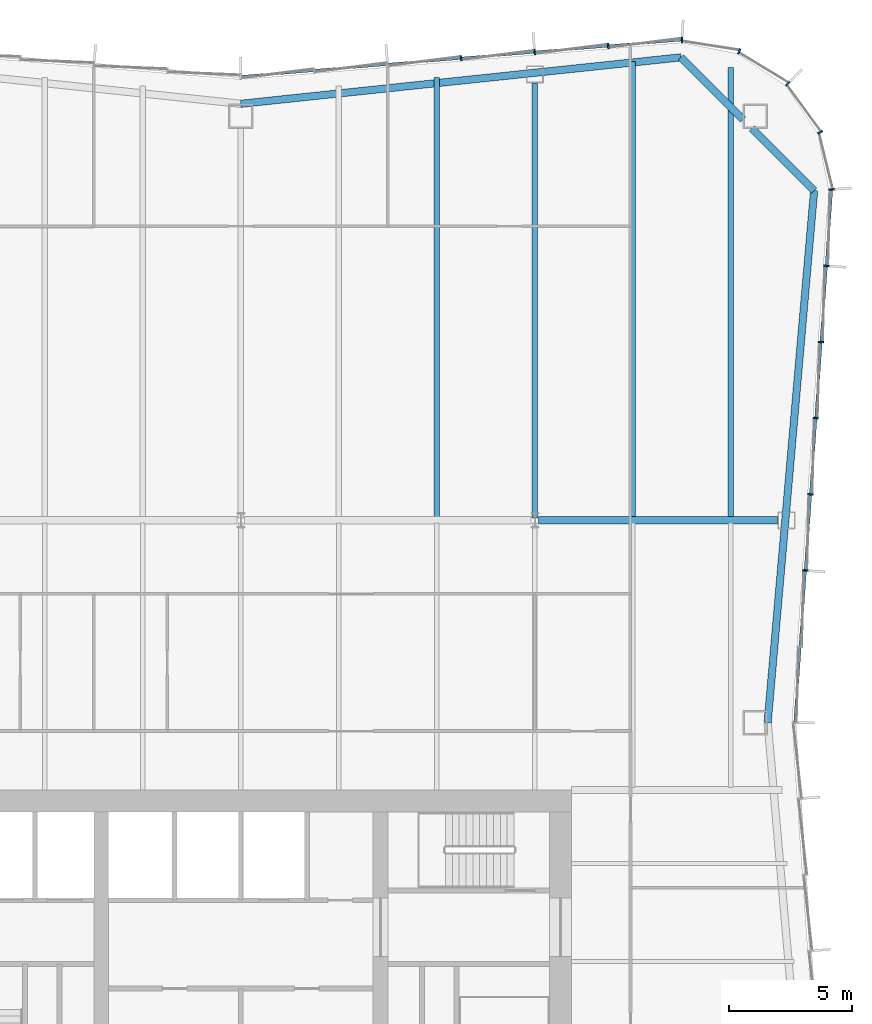
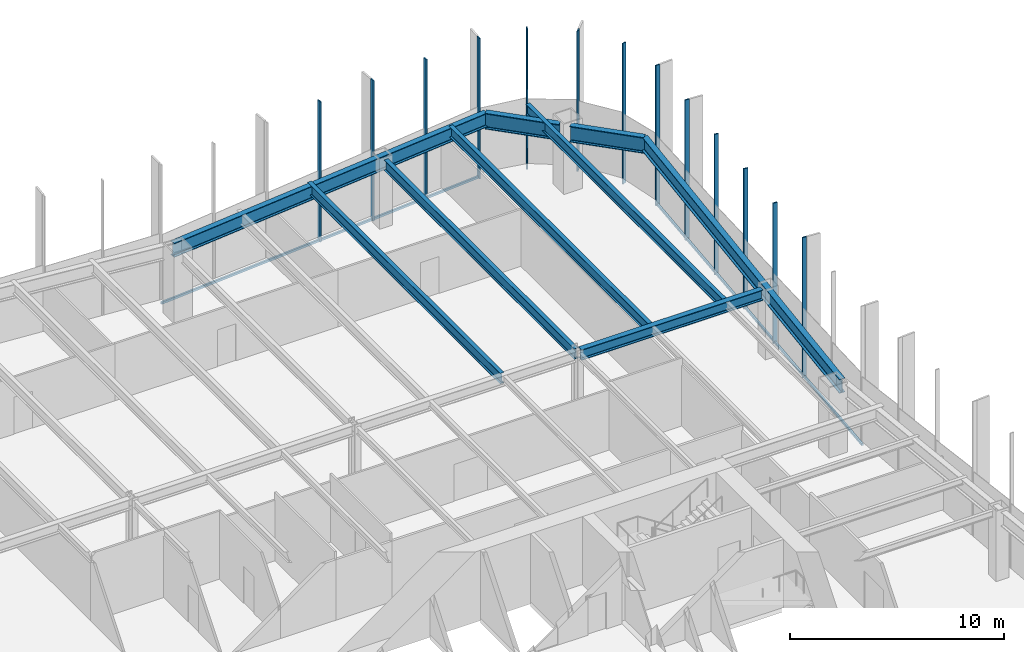
# One storey, part 7 of 13: 15 members, 9 beams, 3 elements without a shape of their own.
"""IFC4 building model written with IfcOpenShell, lengths in metres."""

from ifc_helpers import new_model, si_unit, direction, frame, origin, origin_2d, place, context, subcontext, project, spatial, rectangle, i_section, extrude, material, material_profile, profile_set, type_object, element, aggregate, save


model = new_model("IFC4")

# Units and contexts
model_context = context("Model", 3, precision=1e-05, world=origin(), true_north=direction((0.0, 1.0)))
body_context = subcontext(model_context, "Body", "Model", "MODEL_VIEW")
ifc_project = project(units=[si_unit("LENGTHUNIT", "METRE"), si_unit("AREAUNIT", "SQUARE_METRE"), si_unit("VOLUMEUNIT", "CUBIC_METRE"), si_unit("PLANEANGLEUNIT", "RADIAN"), si_unit("MASSUNIT", "GRAM", prefix="KILO")], contexts=[model_context])

# Site, building, storey
site_placement = place(None, origin())
site = spatial("IfcSite", under=ifc_project, at=site_placement, CompositionType="ELEMENT")
building_placement = place(site_placement, origin())
building = spatial("IfcBuilding", under=site, at=building_placement, Name="Verdant Reach Tower", CompositionType="ELEMENT")
storey_placement = place(building_placement, frame((0.0, 0.0, 218.0)))
storey = spatial("IfcBuildingStorey", under=building, at=storey_placement, Name="L50", CompositionType="ELEMENT", Elevation=218.0)

# Curtain wall, members
ifc_material_1 = material(Name="Anodised aluminium", Category="aluminium")
curtain_wall_type = type_object("IfcCurtainWallType", Name="EN-CW SYSTEM Z3", PredefinedType="NOTDEFINED", material=ifc_material_1)
curtain_wall_1_placement = place(storey_placement, origin())
curtain_wall_1 = element("IfcCurtainWall", 1, at=curtain_wall_1_placement, inside=storey, type_object=curtain_wall_type, Name="Curtain wall east, L50", PredefinedType="NOTDEFINED")
ifc_material_profile_1 = material_profile(ifc_material_1, rectangle(XDim=0.218017578125, YDim=0.06591796875, at=origin_2d()), Name="Mullion 66x218")
ifc_profile_set_1 = profile_set([ifc_material_profile_1], Name="Anodised aluminium")
member_type_1 = type_object("IfcMemberType", Name="EN-MULLION Z3", PredefinedType="MULLION", material=ifc_profile_set_1)
member_1_placement = place(storey_placement, frame((23.037353515625, 47.456787109375, -0.35009765625), z_axis=(0.0, 0.0, 1.0), x_axis=(0.997630328423, -0.068802091615, 0.0)))
member_1 = element("IfcMember", 2, at=member_1_placement, type_object=member_type_1, Name="Mullion east face part 2 3, L50", PredefinedType="MULLION", context=body_context, shape_type="SweptSolid", body=[
    extrude(rectangle(XDim=0.218017578125, YDim=0.06591796875, at=origin_2d()), origin(), (0.0, 0.0, 1.0), 8.0),
])
member_2_placement = place(storey_placement, frame((23.251708984375, 50.56396484375, -0.35009765625), z_axis=(0.0, 0.0, 1.0), x_axis=(0.997630328423, -0.068802091615, 0.0)))
member_2 = element("IfcMember", 3, at=member_2_placement, type_object=member_type_1, Name="Mullion east face part 2 4, L50", PredefinedType="MULLION", context=body_context, shape_type="SweptSolid", body=[
    extrude(rectangle(XDim=0.218017578125, YDim=0.06591796875, at=origin_2d()), origin(), (0.0, 0.0, 1.0), 8.0),
])
member_3_placement = place(storey_placement, frame((23.4658203125, 53.671142578125, -0.35009765625), z_axis=(0.0, 0.0, 1.0), x_axis=(0.997630328423, -0.068802091615, 0.0)))
member_3 = element("IfcMember", 4, at=member_3_placement, type_object=member_type_1, Name="Mullion east face part 2 5, L50", PredefinedType="MULLION", context=body_context, shape_type="SweptSolid", body=[
    extrude(rectangle(XDim=0.218017578125, YDim=0.06591796875, at=origin_2d()), origin(), (0.0, 0.0, 1.0), 8.0),
])
member_4_placement = place(storey_placement, frame((23.68017578125, 56.7783203125, -0.35009765625), z_axis=(0.0, 0.0, 1.0), x_axis=(0.997630328423, -0.068802091615, 0.0)))
member_4 = element("IfcMember", 5, at=member_4_placement, type_object=member_type_1, Name="Mullion east face part 2 6, L50", PredefinedType="MULLION", context=body_context, shape_type="SweptSolid", body=[
    extrude(rectangle(XDim=0.218017578125, YDim=0.06591796875, at=origin_2d()), origin(), (0.0, 0.0, 1.0), 8.0),
])
member_5_placement = place(storey_placement, frame((23.89453125, 59.88525390625, -0.35009765625), z_axis=(0.0, 0.0, 1.0), x_axis=(0.997630328423, -0.068802091615, 0.0)))
member_5 = element("IfcMember", 6, at=member_5_placement, type_object=member_type_1, Name="Mullion east face part 2 7, L50", PredefinedType="MULLION", context=body_context, shape_type="SweptSolid", body=[
    extrude(rectangle(XDim=0.218017578125, YDim=0.06591796875, at=origin_2d()), origin(), (0.0, 0.0, 1.0), 8.0),
])

curtain_wall_2_placement = place(storey_placement, origin())
curtain_wall_2 = element("IfcCurtainWall", 7, at=curtain_wall_2_placement, inside=storey, type_object=curtain_wall_type, Name="Curtain wall north-east corner, L50", PredefinedType="NOTDEFINED")
member_6_placement = place(storey_placement, frame((24.10888671875, 63.0068359375, -0.35009765625), z_axis=(0.0, 0.0, 1.0), x_axis=(0.997969180898, 0.063698618332, 0.0)))
member_6 = element("IfcMember", 8, at=member_6_placement, type_object=member_type_1, Name="Mullion north-east corner 1, L50", PredefinedType="MULLION", context=body_context, shape_type="SweptSolid", body=[
    extrude(rectangle(XDim=0.218017578125, YDim=0.06591796875, at=origin_2d()), origin(), (0.0, 0.0, 1.0), 8.0),
])
member_7_placement = place(storey_placement, frame((23.64404296875, 65.337890625, -0.35009765625), z_axis=(0.0, 0.0, 1.0), x_axis=(0.923875215753, 0.382693853776, 0.0)))
member_7 = element("IfcMember", 9, at=member_7_placement, type_object=member_type_1, Name="Mullion north-east corner 2, L50", PredefinedType="MULLION", context=body_context, shape_type="SweptSolid", body=[
    extrude(rectangle(XDim=0.218017578125, YDim=0.06591796875, at=origin_2d()), origin(), (0.0, 0.0, 1.0), 8.0),
])
member_8_placement = place(storey_placement, frame((22.319580078125, 67.319580078125, -0.35009765625), z_axis=(0.0, 0.0, 1.0), x_axis=(0.707106781187, 0.707106781187, 0.0)))
member_8 = element("IfcMember", 10, at=member_8_placement, type_object=member_type_1, Name="Mullion north-east corner 3, L50", PredefinedType="MULLION", context=body_context, shape_type="SweptSolid", body=[
    extrude(rectangle(XDim=0.218017578125, YDim=0.06591796875, at=origin_2d()), origin(), (0.0, 0.0, 1.0), 8.0),
])
member_9_placement = place(storey_placement, frame((20.337890625, 68.64404296875, -0.35009765625), z_axis=(0.0, 0.0, 1.0), x_axis=(0.382693853776, 0.923875215753, 0.0)))
member_9 = element("IfcMember", 11, at=member_9_placement, type_object=member_type_1, Name="Mullion north-east corner 4, L50", PredefinedType="MULLION", context=body_context, shape_type="SweptSolid", body=[
    extrude(rectangle(XDim=0.218017578125, YDim=0.06591796875, at=origin_2d()), origin(), (0.0, 0.0, 1.0), 8.0),
])
aggregate(curtain_wall_2, [member_6, member_7, member_8, member_9])

curtain_wall_3_placement = place(storey_placement, origin())
curtain_wall_3 = element("IfcCurtainWall", 12, at=curtain_wall_3_placement, inside=storey, type_object=curtain_wall_type, Name="Curtain wall north, L50", PredefinedType="NOTDEFINED")
member_10_placement = place(storey_placement, frame((18.006103515625, 69.10888671875, -0.35009765625), z_axis=(0.0, 0.0, 1.0), x_axis=(0.056569187765, 0.998398681387, 0.0)))
member_10 = element("IfcMember", 13, at=member_10_placement, type_object=member_type_1, Name="Mullion north face part 1 1, L50", PredefinedType="MULLION", context=body_context, shape_type="SweptSolid", body=[
    extrude(rectangle(XDim=0.218017578125, YDim=0.06591796875, at=origin_2d()), origin(), (0.0, 0.0, 1.0), 8.0),
])
member_11_placement = place(storey_placement, frame((14.990966796875, 68.858642578125, -0.35009765625), z_axis=(0.0, 0.0, 1.0), x_axis=(-0.083045479859, 0.996545758244, 0.0)))
member_11 = element("IfcMember", 14, at=member_11_placement, type_object=member_type_1, Name="Mullion north face part 1 2, L50", PredefinedType="MULLION", context=body_context, shape_type="SweptSolid", body=[
    extrude(rectangle(XDim=0.218017578125, YDim=0.06591796875, at=origin_2d()), origin(), (0.0, 0.0, 1.0), 8.0),
])
member_12_placement = place(storey_placement, frame((11.990966796875, 68.608642578125, -0.35009765625), z_axis=(0.0, 0.0, 1.0), x_axis=(-0.083045479859, 0.996545758244, 0.0)))
member_12 = element("IfcMember", 15, at=member_12_placement, type_object=member_type_1, Name="Mullion north face part 1 3, L50", PredefinedType="MULLION", context=body_context, shape_type="SweptSolid", body=[
    extrude(rectangle(XDim=0.218017578125, YDim=0.06591796875, at=origin_2d()), origin(), (0.0, 0.0, 1.0), 8.0),
])
member_13_placement = place(storey_placement, frame((8.990966796875, 68.358642578125, -0.35009765625), z_axis=(0.0, 0.0, 1.0), x_axis=(-0.083045479859, 0.996545758244, 0.0)))
member_13 = element("IfcMember", 16, at=member_13_placement, type_object=member_type_1, Name="Mullion north face part 1 4, L50", PredefinedType="MULLION", context=body_context, shape_type="SweptSolid", body=[
    extrude(rectangle(XDim=0.218017578125, YDim=0.06591796875, at=origin_2d()), origin(), (0.0, 0.0, 1.0), 8.0),
])

# Member
ifc_material_profile_2 = material_profile(ifc_material_1, rectangle(XDim=0.10009765625, YDim=0.1259765625, at=origin_2d()), Name="Transom 126x100")
ifc_profile_set_2 = profile_set([ifc_material_profile_2], Name="Anodised aluminium")
member_type_2 = type_object("IfcMemberType", Name="EN-TRANSOM Z3", PredefinedType="USERDEFINED", material=ifc_profile_set_2)
member_14_placement = place(storey_placement, frame((22.611328125, 41.282958984375, -0.287109375), z_axis=(0.068764326054, 0.997632932226, 0.0), x_axis=(-0.997632932226, 0.068764326054, 0.0)))
member_14 = element("IfcMember", 17, at=member_14_placement, type_object=member_type_2, Name="Transom east face part 2 1.1, L50", ObjectType="TRANSOM", PredefinedType="USERDEFINED", context=body_context, shape_type="SweptSolid", body=[
    extrude(rectangle(XDim=0.10009765625, YDim=0.1259765625, at=origin_2d()), origin(), (0.0, 0.0, 1.0), 21.74267578125),
])

aggregate(curtain_wall_1, [member_1, member_2, member_3, member_4, member_5, member_14])

member_15_placement = place(storey_placement, frame((17.973388671875, 69.106201171875, -0.287109375), z_axis=(-0.996548750467, -0.083009565369, 0.0), x_axis=(0.083009565369, -0.996548750467, 0.0)))
member_15 = element("IfcMember", 18, at=member_15_placement, type_object=member_type_2, Name="Transom north face part 1 1.1, L50", ObjectType="TRANSOM", PredefinedType="USERDEFINED", context=body_context, shape_type="SweptSolid", body=[
    extrude(rectangle(XDim=0.10009765625, YDim=0.1259765625, at=origin_2d()), origin(), (0.0, 0.0, 1.0), 18.00244140625),
])

aggregate(curtain_wall_3, [member_10, member_11, member_12, member_13, member_15])

# Beams
ifc_material_2 = material(Name="Steel S355", Category="steel")
ifc_material_profile_3 = material_profile(ifc_material_2, i_section(OverallWidth=0.300048828125, OverallDepth=0.60009765625, WebThickness=0.015380859375, FlangeThickness=0.030029296875, FilletRadius=0.027099609375, at=origin_2d()), Name="HEB 600")
ifc_profile_set_3 = profile_set([ifc_material_profile_3], Name="Steel S355")
beam_type_1 = type_object("IfcBeamType", Name="ST-BEAM-HEB600", PredefinedType="BEAM", material=ifc_profile_set_3)
beam_1_placement = place(storey_placement, frame((12.152587890625, 49.5, 3.570068359375), z_axis=(1.0, 0.0, 0.0), x_axis=(0.0, 1.0, 0.0)))
element("IfcBeam", 19, at=beam_1_placement, inside=storey, type_object=beam_type_1, Name="Row girder, L50", PredefinedType="BEAM", context=body_context, shape_type="SweptSolid", body=[
    extrude(i_section(OverallWidth=0.300048828125, OverallDepth=0.60009765625, WebThickness=0.015380859375, FlangeThickness=0.030029296875, FilletRadius=0.027099609375, at=origin_2d()), origin(), (0.0, 0.0, 1.0), 9.766357421875),
])
ifc_material_profile_4 = material_profile(ifc_material_2, i_section(OverallWidth=0.219970703125, OverallDepth=0.60009765625, WebThickness=0.011962890625, FlangeThickness=0.01904296875, FilletRadius=0.02392578125, at=origin_2d()), Name="IPE 600")
ifc_profile_set_4 = profile_set([ifc_material_profile_4], Name="Steel S355")
beam_type_2 = type_object("IfcBeamType", Name="ST-JOIST-IPE600", PredefinedType="JOIST", material=ifc_profile_set_4)
beam_2_placement = place(storey_placement, frame((8.0, 49.60009765625, 3.570068359375), z_axis=(0.0, 1.0, 0.0), x_axis=(-1.0, 0.0, 0.0)))
element("IfcBeam", 20, at=beam_2_placement, inside=storey, type_object=beam_type_2, Name="Floor joist, L50", PredefinedType="JOIST", context=body_context, shape_type="SweptSolid", body=[
    extrude(i_section(OverallWidth=0.219970703125, OverallDepth=0.60009765625, WebThickness=0.011962890625, FlangeThickness=0.01904296875, FilletRadius=0.02392578125, at=origin_2d()), origin(), (0.0, 0.0, 1.0), 17.964599609375),
])
beam_3_placement = place(storey_placement, frame((12.0, 49.60009765625, 3.570068359375), z_axis=(0.0, 1.0, 0.0), x_axis=(-1.0, 0.0, 0.0)))
element("IfcBeam", 21, at=beam_3_placement, inside=storey, type_object=beam_type_2, Name="Floor joist, L50", PredefinedType="JOIST", context=body_context, shape_type="SweptSolid", body=[
    extrude(i_section(OverallWidth=0.219970703125, OverallDepth=0.60009765625, WebThickness=0.011962890625, FlangeThickness=0.01904296875, FilletRadius=0.02392578125, at=origin_2d()), origin(), (0.0, 0.0, 1.0), 17.75),
])
beam_4_placement = place(storey_placement, frame((16.0, 49.60009765625, 3.570068359375), z_axis=(0.0, 1.0, 0.0), x_axis=(-1.0, 0.0, 0.0)))
element("IfcBeam", 22, at=beam_4_placement, inside=storey, type_object=beam_type_2, Name="Floor joist, L50", PredefinedType="JOIST", context=body_context, shape_type="SweptSolid", body=[
    extrude(i_section(OverallWidth=0.219970703125, OverallDepth=0.60009765625, WebThickness=0.011962890625, FlangeThickness=0.01904296875, FilletRadius=0.02392578125, at=origin_2d()), origin(), (0.0, 0.0, 1.0), 18.631103515625),
])
beam_5_placement = place(storey_placement, frame((20.0, 49.60009765625, 3.570068359375), z_axis=(0.0, 1.0, 0.0), x_axis=(-1.0, 0.0, 0.0)))
element("IfcBeam", 23, at=beam_5_placement, inside=storey, type_object=beam_type_2, Name="Floor joist, L50", PredefinedType="JOIST", context=body_context, shape_type="SweptSolid", body=[
    extrude(i_section(OverallWidth=0.219970703125, OverallDepth=0.60009765625, WebThickness=0.011962890625, FlangeThickness=0.01904296875, FilletRadius=0.02392578125, at=origin_2d()), origin(), (0.0, 0.0, 1.0), 18.390380859375),
])
ifc_material_profile_5 = material_profile(ifc_material_2, i_section(OverallWidth=0.300048828125, OverallDepth=0.800048828125, WebThickness=0.017578125, FlangeThickness=0.032958984375, FilletRadius=0.030029296875, at=origin_2d()), Name="HEB 800")
ifc_profile_set_5 = profile_set([ifc_material_profile_5], Name="Steel S355")
beam_type_3 = type_object("IfcBeamType", Name="ST-SPANDREL-HEB800", PredefinedType="SPANDREL", material=ifc_profile_set_5)
beam_6_placement = place(storey_placement, frame((0.0, 66.5, 3.469970703125), z_axis=(0.994483067002, 0.104897232783, 0.0), x_axis=(-0.104897232783, 0.994483067002, 0.0)))
element("IfcBeam", 24, at=beam_6_placement, inside=storey, type_object=beam_type_3, Name="Edge beam, L50", PredefinedType="SPANDREL", context=body_context, shape_type="SweptSolid", body=[
    extrude(i_section(OverallWidth=0.300048828125, OverallDepth=0.800048828125, WebThickness=0.017578125, FlangeThickness=0.032958984375, FilletRadius=0.030029296875, at=origin_2d()), origin(), (0.0, 0.0, 1.0), 18.0654296875),
])
beam_7_placement = place(storey_placement, frame((23.39599609375, 62.96142578125, 3.469970703125), z_axis=(-0.086996024331, -0.996208658741, 0.0), x_axis=(0.996208658741, -0.086996024331, 0.0)))
element("IfcBeam", 25, at=beam_7_placement, inside=storey, type_object=beam_type_3, Name="Edge beam, L50", PredefinedType="SPANDREL", context=body_context, shape_type="SweptSolid", body=[
    extrude(i_section(OverallWidth=0.300048828125, OverallDepth=0.800048828125, WebThickness=0.017578125, FlangeThickness=0.032958984375, FilletRadius=0.030029296875, at=origin_2d()), origin(), (0.0, 0.0, 1.0), 21.7939453125),
])
ifc_material_profile_6 = material_profile(ifc_material_2, i_section(OverallWidth=0.302001953125, OverallDepth=0.909912109375, WebThickness=0.02099609375, FlangeThickness=0.0400390625, FilletRadius=0.030029296875, at=origin_2d()), Name="HEM 900")
ifc_profile_set_6 = profile_set([ifc_material_profile_6], Name="Steel S355")
beam_type_4 = type_object("IfcBeamType", Name="ST-SPANDREL-HEM900", PredefinedType="SPANDREL", material=ifc_profile_set_6)
beam_8_placement = place(storey_placement, frame((17.9658203125, 68.39501953125, 3.4150390625), z_axis=(0.706868394255, -0.707345087777, 0.0), x_axis=(0.707345087777, 0.706868394255, 0.0)))
element("IfcBeam", 26, at=beam_8_placement, inside=storey, type_object=beam_type_4, Name="Edge beam, L50", PredefinedType="SPANDREL", context=body_context, shape_type="SweptSolid", body=[
    extrude(i_section(OverallWidth=0.302001953125, OverallDepth=0.909912109375, WebThickness=0.02099609375, FlangeThickness=0.0400390625, FilletRadius=0.030029296875, at=origin_2d()), origin(), (0.0, 0.0, 1.0), 3.5849609375),
])
beam_9_placement = place(storey_placement, frame((20.85888671875, 65.5, 3.4150390625), z_axis=(0.706902680526, -0.707310822952, 0.0), x_axis=(0.707310822952, 0.706902680526, 0.0)))
element("IfcBeam", 27, at=beam_9_placement, inside=storey, type_object=beam_type_4, Name="Edge beam, L50", PredefinedType="SPANDREL", context=body_context, shape_type="SweptSolid", body=[
    extrude(i_section(OverallWidth=0.302001953125, OverallDepth=0.909912109375, WebThickness=0.02099609375, FlangeThickness=0.0400390625, FilletRadius=0.030029296875, at=origin_2d()), origin(), (0.0, 0.0, 1.0), 3.589111328125),
])

save(model, "model.ifc")
